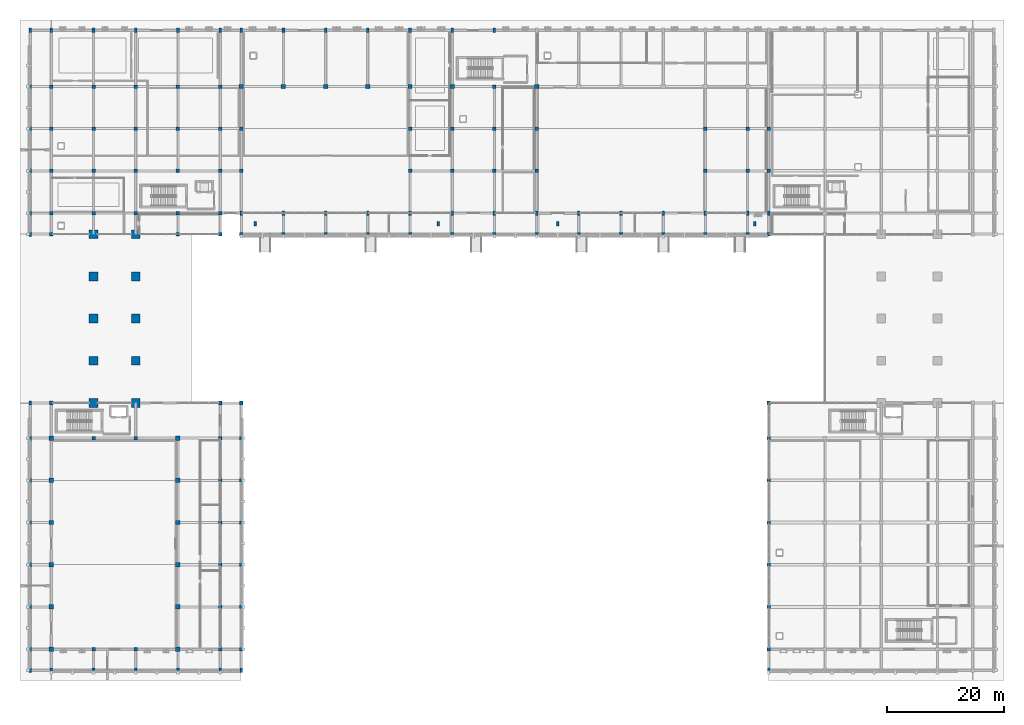
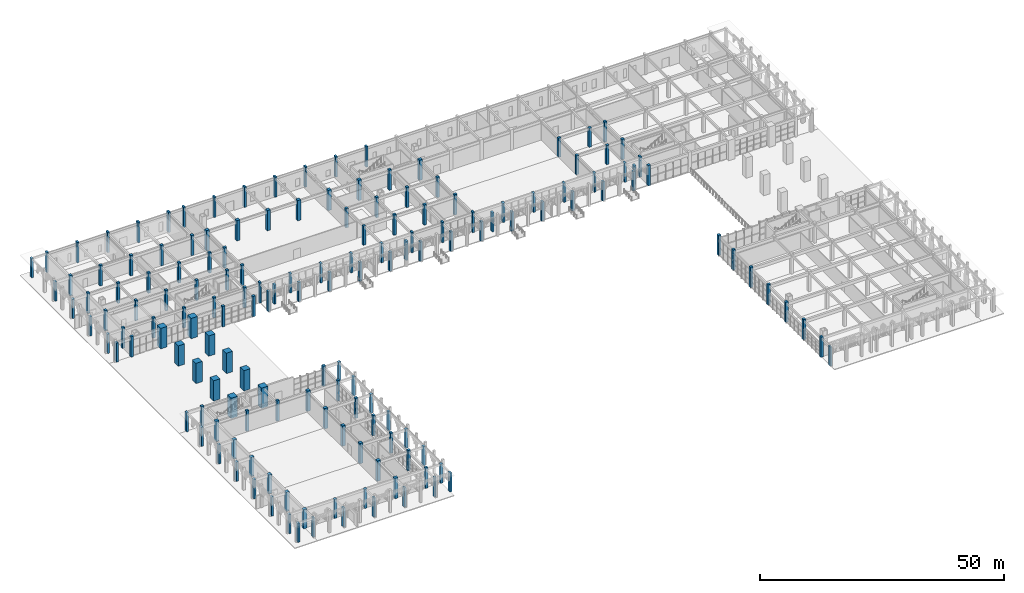
# One storey, part 1 of 72: 160 columns.
"""IFC4 building model written with IfcOpenShell, lengths in metres."""

from ifc_helpers import new_model, si_unit, direction, frame, origin, origin_2d, place, context, subcontext, project, spatial, rectangle, extrude, material, material_profile, profile_set, type_object, element, save


model = new_model("IFC4")

# Units and contexts
model_context = context("Model", 3, precision=1e-05, world=origin(), true_north=direction((0.0, 1.0)))
body_context = subcontext(model_context, "Body", "Model", "MODEL_VIEW")
ifc_project = project(units=[si_unit("LENGTHUNIT", "METRE"), si_unit("AREAUNIT", "SQUARE_METRE"), si_unit("VOLUMEUNIT", "CUBIC_METRE"), si_unit("PLANEANGLEUNIT", "RADIAN"), si_unit("MASSUNIT", "GRAM", prefix="KILO")], contexts=[model_context])

# Site, building, storey
site_placement = place(None, origin())
site = spatial("IfcSite", under=ifc_project, at=site_placement, CompositionType="ELEMENT")
building_placement = place(site_placement, origin())
building = spatial("IfcBuilding", under=site, at=building_placement, Name="Nzembalo Square Collegiate School", CompositionType="ELEMENT")
storey_placement = place(building_placement, origin())
storey = spatial("IfcBuildingStorey", under=building, at=storey_placement, Name="L00", CompositionType="ELEMENT", Elevation=0.0)

# Columns
ifc_material_1 = material(Name="Concrete C40/50", Category="concrete")
ifc_material_profile_1 = material_profile(ifc_material_1, rectangle(XDim=1.5, YDim=1.5, at=origin_2d()), Name="RC 1500x1500")
ifc_profile_set_1 = profile_set([ifc_material_profile_1], Name="Concrete C40/50")
column_type_1 = type_object("IfcColumnType", Name="C01", PredefinedType="COLUMN", material=ifc_profile_set_1)
for number, where, z_axis, x_axis, name in (
    (1, (15.60009765625, 50.39990234375, 0.0), (0.0, 0.0, 1.0), (1.0, 0.0, 0.0), "Column C01 L00 3/H"),
    (2, (15.60009765625, 57.60009765625, 0.0), (0.0, 0.0, 1.0), (1.0, 0.0, 0.0), "Column C01 L00 3/I"),
    (3, (15.60009765625, 64.800048828125, 0.0), (0.0, 0.0, 1.0), (1.0, 0.0, 0.0), "Column C01 L00 3/J"),
    (4, (15.60009765625, 72.0, 0.0), (0.0, 0.0, 1.0), (1.0, 0.0, 0.0), "Column C01 L00 3/K"),
    (5, (15.60009765625, 79.199951171875, 0.0), (0.0, 0.0, 1.0), (1.0, 0.0, 0.0), "Column C01 L00 3/L"),
    (6, (22.800048828125, 50.39990234375, 0.0), (0.0, 0.0, 1.0), (1.0, 0.0, 0.0), "Column C01 L00 4/H"),
    (7, (22.800048828125, 57.60009765625, 0.0), (0.0, 0.0, 1.0), (1.0, 0.0, 0.0), "Column C01 L00 4/I"),
    (8, (22.800048828125, 64.800048828125, 0.0), (0.0, 0.0, 1.0), (1.0, 0.0, 0.0), "Column C01 L00 4/J"),
    (9, (22.800048828125, 72.0, 0.0), (0.0, 0.0, 1.0), (1.0, 0.0, 0.0), "Column C01 L00 4/K"),
    (10, (22.800048828125, 79.199951171875, 0.0), (0.0, 0.0, 1.0), (1.0, 0.0, 0.0), "Column C01 L00 4/L"),
):
    element("IfcColumn", number, at=place(storey_placement, frame(where, z_axis=z_axis, x_axis=x_axis)), inside=storey, type_object=column_type_1, Name=name, PredefinedType="COLUMN", context=body_context, shape_type="SweptSolid", body=[
        extrude(rectangle(XDim=1.5, YDim=1.5, at=origin_2d()), origin(), (0.0, 0.0, 1.0), 5.10009765625),
    ])
ifc_material_2 = material(Name="Concrete C40/50", Category="concrete")
ifc_material_profile_2 = material_profile(ifc_material_2, rectangle(XDim=0.75, YDim=0.75, at=origin_2d()), Name="RC 750x750")
ifc_profile_set_2 = profile_set([ifc_material_profile_2], Name="Concrete C40/50")
column_type_2 = type_object("IfcColumnType", Name="C02", PredefinedType="COLUMN", material=ifc_profile_set_2)
for number, where, z_axis, x_axis, name in (
    (11, (62.39990234375, 104.39990234375, 0.0), (0.0, 0.0, 1.0), (1.0, 0.0, 0.0), "Column C02 L00 10/P"),
    (12, (69.60009765625, 104.39990234375, 0.0), (0.0, 0.0, 1.0), (1.0, 0.0, 0.0), "Column C02 L00 11/P"),
    (13, (76.800048828125, 104.39990234375, 0.0), (0.0, 0.0, 1.0), (1.0, 0.0, 0.0), "Column C02 L00 12/P"),
    (14, (91.199951171875, 104.39990234375, 0.0), (0.0, 0.0, 1.0), (1.0, 0.0, 0.0), "Column C02 L00 14/P"),
):
    element("IfcColumn", number, at=place(storey_placement, frame(where, z_axis=z_axis, x_axis=x_axis)), inside=storey, type_object=column_type_2, Name=name, PredefinedType="COLUMN", context=body_context, shape_type="SweptSolid", body=[
        extrude(rectangle(XDim=0.75, YDim=0.75, at=origin_2d()), origin(), (0.0, 0.0, 1.0), 5.10009765625),
    ])
for number, where, z_axis, x_axis, name in (
    (15, (8.39990234375, 8.39990234375, 0.0), (0.0, 0.0, 1.0), (1.0, 0.0, 0.0), "Column C02 L00 2/B"),
    (16, (8.39990234375, 15.60009765625, 0.0), (0.0, 0.0, 1.0), (1.0, 0.0, 0.0), "Column C02 L00 2/C"),
    (17, (8.39990234375, 22.800048828125, 0.0), (0.0, 0.0, 1.0), (1.0, 0.0, 0.0), "Column C02 L00 2/D"),
    (18, (8.39990234375, 30.0, 0.0), (0.0, 0.0, 1.0), (1.0, 0.0, 0.0), "Column C02 L00 2/E"),
    (19, (8.39990234375, 37.199951171875, 0.0), (0.0, 0.0, 1.0), (1.0, 0.0, 0.0), "Column C02 L00 2/F"),
):
    element("IfcColumn", number, at=place(storey_placement, frame(where, z_axis=z_axis, x_axis=x_axis)), inside=storey, type_object=column_type_2, Name=name, PredefinedType="COLUMN", context=body_context, shape_type="SweptSolid", body=[
        extrude(rectangle(XDim=0.75, YDim=0.75, at=origin_2d()), origin(), (0.0, 0.0, 1.0), 4.800048828125),
    ])
for number, where, z_axis, x_axis, name in (
    (20, (8.39990234375, 44.39990234375, 0.0), (0.0, 0.0, 1.0), (1.0, 0.0, 0.0), "Column C02 L00 2/G"),
    (21, (30.0, 8.39990234375, 0.0), (0.0, 0.0, 1.0), (1.0, 0.0, 0.0), "Column C02 L00 5/B"),
    (22, (30.0, 15.60009765625, 0.0), (0.0, 0.0, 1.0), (1.0, 0.0, 0.0), "Column C02 L00 5/C"),
    (23, (30.0, 22.800048828125, 0.0), (0.0, 0.0, 1.0), (1.0, 0.0, 0.0), "Column C02 L00 5/D"),
    (24, (30.0, 30.0, 0.0), (0.0, 0.0, 1.0), (1.0, 0.0, 0.0), "Column C02 L00 5/E"),
    (25, (30.0, 37.199951171875, 0.0), (0.0, 0.0, 1.0), (1.0, 0.0, 0.0), "Column C02 L00 5/F"),
    (26, (30.0, 44.39990234375, 0.0), (0.0, 0.0, 1.0), (1.0, 0.0, 0.0), "Column C02 L00 5/G"),
    (27, (40.800048828125, 104.39990234375, 0.0), (0.0, 0.0, 1.0), (1.0, 0.0, 0.0), "Column C02 L00 7/P"),
    (28, (48.0, 104.39990234375, 0.0), (0.0, 0.0, 1.0), (1.0, 0.0, 0.0), "Column C02 L00 8/P"),
    (29, (55.199951171875, 104.39990234375, 0.0), (0.0, 0.0, 1.0), (1.0, 0.0, 0.0), "Column C02 L00 9/P"),
):
    element("IfcColumn", number, at=place(storey_placement, frame(where, z_axis=z_axis, x_axis=x_axis)), inside=storey, type_object=column_type_2, Name=name, PredefinedType="COLUMN", context=body_context, shape_type="SweptSolid", body=[
        extrude(rectangle(XDim=0.75, YDim=0.75, at=origin_2d()), origin(), (0.0, 0.0, 1.0), 5.10009765625),
    ])
ifc_material_3 = material(Name="Concrete C35/45", Category="concrete")
ifc_material_profile_3 = material_profile(ifc_material_3, rectangle(XDim=0.60009765625, YDim=0.60009765625, at=origin_2d()), Name="RC 600x600")
ifc_profile_set_3 = profile_set([ifc_material_profile_3], Name="Concrete C35/45")
column_type_3 = type_object("IfcColumnType", Name="C03", PredefinedType="COLUMN", material=ifc_profile_set_3)
for number, where, z_axis, x_axis, name in (
    (30, (62.39990234375, 79.199951171875, 0.0), (0.0, 0.0, 1.0), (1.0, 0.0, 0.0), "Column C03 L00 10/L"),
    (31, (69.60009765625, 79.199951171875, 0.0), (0.0, 0.0, 1.0), (1.0, 0.0, 0.0), "Column C03 L00 11/L"),
    (32, (69.60009765625, 90.0, 0.0), (0.0, 0.0, 1.0), (1.0, 0.0, 0.0), "Column C03 L00 11/N"),
    (33, (69.60009765625, 97.199951171875, 0.0), (0.0, 0.0, 1.0), (1.0, 0.0, 0.0), "Column C03 L00 11/O"),
):
    element("IfcColumn", number, at=place(storey_placement, frame(where, z_axis=z_axis, x_axis=x_axis)), inside=storey, type_object=column_type_3, Name=name, PredefinedType="COLUMN", context=body_context, shape_type="SweptSolid", body=[
        extrude(rectangle(XDim=0.60009765625, YDim=0.60009765625, at=origin_2d()), origin(), (0.0, 0.0, 1.0), 4.800048828125),
    ])
column_1_placement = place(storey_placement, frame((76.800048828125, 79.199951171875, 0.0), z_axis=(0.0, 0.0, 1.0), x_axis=(1.0, 0.0, 0.0)))
element("IfcColumn", 34, at=column_1_placement, inside=storey, type_object=column_type_3, Name="Column C03 L00 12/L", PredefinedType="COLUMN", context=body_context, shape_type="SweptSolid", body=[
    extrude(rectangle(XDim=0.60009765625, YDim=0.60009765625, at=origin_2d()), origin(), (0.0, 0.0, 1.0), 4.860107421875),
])
for number, where, z_axis, x_axis, name in (
    (35, (76.800048828125, 90.0, 0.0), (0.0, 0.0, 1.0), (1.0, 0.0, 0.0), "Column C03 L00 12/N"),
    (36, (76.800048828125, 97.199951171875, 0.0), (0.0, 0.0, 1.0), (1.0, 0.0, 0.0), "Column C03 L00 12/O"),
):
    element("IfcColumn", number, at=place(storey_placement, frame(where, z_axis=z_axis, x_axis=x_axis)), inside=storey, type_object=column_type_3, Name=name, PredefinedType="COLUMN", context=body_context, shape_type="SweptSolid", body=[
        extrude(rectangle(XDim=0.60009765625, YDim=0.60009765625, at=origin_2d()), origin(), (0.0, 0.0, 1.0), 5.10009765625),
    ])
column_2_placement = place(storey_placement, frame((84.0, 79.199951171875, 0.0), z_axis=(0.0, 0.0, 1.0), x_axis=(1.0, 0.0, 0.0)))
element("IfcColumn", 37, at=column_2_placement, inside=storey, type_object=column_type_3, Name="Column C03 L00 13/L", PredefinedType="COLUMN", context=body_context, shape_type="SweptSolid", body=[
    extrude(rectangle(XDim=0.60009765625, YDim=0.60009765625, at=origin_2d()), origin(), (0.0, 0.0, 1.0), 4.860107421875),
])
for number, where, z_axis, x_axis, name in (
    (38, (84.0, 90.0, 0.0), (0.0, 0.0, 1.0), (1.0, 0.0, 0.0), "Column C03 L00 13/N"),
    (39, (84.0, 97.199951171875, 0.0), (0.0, 0.0, 1.0), (1.0, 0.0, 0.0), "Column C03 L00 13/O"),
    (40, (84.0, 104.39990234375, 0.0), (0.0, 0.0, 1.0), (1.0, 0.0, 0.0), "Column C03 L00 13/P"),
):
    element("IfcColumn", number, at=place(storey_placement, frame(where, z_axis=z_axis, x_axis=x_axis)), inside=storey, type_object=column_type_3, Name=name, PredefinedType="COLUMN", context=body_context, shape_type="SweptSolid", body=[
        extrude(rectangle(XDim=0.60009765625, YDim=0.60009765625, at=origin_2d()), origin(), (0.0, 0.0, 1.0), 5.10009765625),
    ])
column_3_placement = place(storey_placement, frame((91.199951171875, 79.199951171875, 0.0), z_axis=(0.0, 0.0, 1.0), x_axis=(1.0, 0.0, 0.0)))
element("IfcColumn", 41, at=column_3_placement, inside=storey, type_object=column_type_3, Name="Column C03 L00 14/L", PredefinedType="COLUMN", context=body_context, shape_type="SweptSolid", body=[
    extrude(rectangle(XDim=0.60009765625, YDim=0.60009765625, at=origin_2d()), origin(), (0.0, 0.0, 1.0), 4.860107421875),
])
for number, where, z_axis, x_axis, name in (
    (42, (91.199951171875, 90.0, 0.0), (0.0, 0.0, 1.0), (1.0, 0.0, 0.0), "Column C03 L00 14/N"),
    (43, (91.199951171875, 97.199951171875, 0.0), (0.0, 0.0, 1.0), (1.0, 0.0, 0.0), "Column C03 L00 14/O"),
):
    element("IfcColumn", number, at=place(storey_placement, frame(where, z_axis=z_axis, x_axis=x_axis)), inside=storey, type_object=column_type_3, Name=name, PredefinedType="COLUMN", context=body_context, shape_type="SweptSolid", body=[
        extrude(rectangle(XDim=0.60009765625, YDim=0.60009765625, at=origin_2d()), origin(), (0.0, 0.0, 1.0), 5.10009765625),
    ])
for number, where, z_axis, x_axis, name in (
    (44, (98.39990234375, 79.199951171875, 0.0), (0.0, 0.0, 1.0), (1.0, 0.0, 0.0), "Column C03 L00 15/L"),
    (45, (105.60009765625, 79.199951171875, 0.0), (0.0, 0.0, 1.0), (1.0, 0.0, 0.0), "Column C03 L00 16/L"),
    (46, (112.800048828125, 79.199951171875, 0.0), (0.0, 0.0, 1.0), (1.0, 0.0, 0.0), "Column C03 L00 17/L"),
    (47, (120.0, 79.199951171875, 0.0), (0.0, 0.0, 1.0), (1.0, 0.0, 0.0), "Column C03 L00 18/L"),
    (48, (120.0, 90.0, 0.0), (0.0, 0.0, 1.0), (1.0, 0.0, 0.0), "Column C03 L00 18/N"),
    (49, (120.0, 97.199951171875, 0.0), (0.0, 0.0, 1.0), (1.0, 0.0, 0.0), "Column C03 L00 18/O"),
    (50, (127.199951171875, 79.199951171875, 0.0), (0.0, 0.0, 1.0), (1.0, 0.0, 0.0), "Column C03 L00 19/L"),
    (51, (127.199951171875, 90.0, 0.0), (0.0, 0.0, 1.0), (1.0, 0.0, 0.0), "Column C03 L00 19/N"),
    (52, (127.199951171875, 97.199951171875, 0.0), (0.0, 0.0, 1.0), (1.0, 0.0, 0.0), "Column C03 L00 19/O"),
):
    element("IfcColumn", number, at=place(storey_placement, frame(where, z_axis=z_axis, x_axis=x_axis)), inside=storey, type_object=column_type_3, Name=name, PredefinedType="COLUMN", context=body_context, shape_type="SweptSolid", body=[
        extrude(rectangle(XDim=0.60009765625, YDim=0.60009765625, at=origin_2d()), origin(), (0.0, 0.0, 1.0), 4.800048828125),
    ])
for number, where, z_axis, x_axis, name in (
    (53, (8.39990234375, 50.39990234375, 0.0), (0.0, 0.0, 1.0), (1.0, 0.0, 0.0), "Column C03 L00 2/H"),
    (54, (8.39990234375, 79.199951171875, 0.0), (0.0, 0.0, 1.0), (1.0, 0.0, 0.0), "Column C03 L00 2/L"),
    (55, (8.39990234375, 82.800048828125, 0.0), (0.0, 0.0, 1.0), (1.0, 0.0, 0.0), "Column C03 L00 2/M"),
    (56, (8.39990234375, 90.0, 0.0), (0.0, 0.0, 1.0), (1.0, 0.0, 0.0), "Column C03 L00 2/N"),
    (57, (8.39990234375, 97.199951171875, 0.0), (0.0, 0.0, 1.0), (1.0, 0.0, 0.0), "Column C03 L00 2/O"),
    (58, (8.39990234375, 104.39990234375, 0.0), (0.0, 0.0, 1.0), (1.0, 0.0, 0.0), "Column C03 L00 2/P"),
    (59, (130.800048828125, 8.39990234375, 0.0), (0.0, 0.0, 1.0), (1.0, 0.0, 0.0), "Column C03 L00 20/B"),
    (60, (130.800048828125, 15.60009765625, 0.0), (0.0, 0.0, 1.0), (1.0, 0.0, 0.0), "Column C03 L00 20/C"),
    (61, (130.800048828125, 22.800048828125, 0.0), (0.0, 0.0, 1.0), (1.0, 0.0, 0.0), "Column C03 L00 20/D"),
    (62, (130.800048828125, 30.0, 0.0), (0.0, 0.0, 1.0), (1.0, 0.0, 0.0), "Column C03 L00 20/E"),
    (63, (130.800048828125, 37.199951171875, 0.0), (0.0, 0.0, 1.0), (1.0, 0.0, 0.0), "Column C03 L00 20/F"),
    (64, (130.800048828125, 44.39990234375, 0.0), (0.0, 0.0, 1.0), (1.0, 0.0, 0.0), "Column C03 L00 20/G"),
    (65, (130.800048828125, 50.39990234375, 0.0), (0.0, 0.0, 1.0), (1.0, 0.0, 0.0), "Column C03 L00 20/H"),
    (66, (130.800048828125, 79.199951171875, 0.0), (0.0, 0.0, 1.0), (1.0, 0.0, 0.0), "Column C03 L00 20/L"),
    (67, (130.800048828125, 90.0, 0.0), (0.0, 0.0, 1.0), (1.0, 0.0, 0.0), "Column C03 L00 20/N"),
    (68, (130.800048828125, 97.199951171875, 0.0), (0.0, 0.0, 1.0), (1.0, 0.0, 0.0), "Column C03 L00 20/O"),
):
    element("IfcColumn", number, at=place(storey_placement, frame(where, z_axis=z_axis, x_axis=x_axis)), inside=storey, type_object=column_type_3, Name=name, PredefinedType="COLUMN", context=body_context, shape_type="SweptSolid", body=[
        extrude(rectangle(XDim=0.60009765625, YDim=0.60009765625, at=origin_2d()), origin(), (0.0, 0.0, 1.0), 5.10009765625),
    ])
column_4_placement = place(storey_placement, frame((15.60009765625, 8.39990234375, 0.0), z_axis=(0.0, 0.0, 1.0), x_axis=(1.0, 0.0, 0.0)))
element("IfcColumn", 69, at=column_4_placement, inside=storey, type_object=column_type_3, Name="Column C03 L00 3/B", PredefinedType="COLUMN", context=body_context, shape_type="SweptSolid", body=[
    extrude(rectangle(XDim=0.60009765625, YDim=0.60009765625, at=origin_2d()), origin(), (0.0, 0.0, 1.0), 4.800048828125),
])
for number, where, z_axis, x_axis, name in (
    (70, (15.60009765625, 44.39990234375, 0.0), (0.0, 0.0, 1.0), (1.0, 0.0, 0.0), "Column C03 L00 3/G"),
    (71, (15.60009765625, 82.800048828125, 0.0), (0.0, 0.0, 1.0), (1.0, 0.0, 0.0), "Column C03 L00 3/M"),
    (72, (15.60009765625, 90.0, 0.0), (0.0, 0.0, 1.0), (1.0, 0.0, 0.0), "Column C03 L00 3/N"),
    (73, (15.60009765625, 97.199951171875, 0.0), (0.0, 0.0, 1.0), (1.0, 0.0, 0.0), "Column C03 L00 3/O"),
    (74, (15.60009765625, 104.39990234375, 0.0), (0.0, 0.0, 1.0), (1.0, 0.0, 0.0), "Column C03 L00 3/P"),
):
    element("IfcColumn", number, at=place(storey_placement, frame(where, z_axis=z_axis, x_axis=x_axis)), inside=storey, type_object=column_type_3, Name=name, PredefinedType="COLUMN", context=body_context, shape_type="SweptSolid", body=[
        extrude(rectangle(XDim=0.60009765625, YDim=0.60009765625, at=origin_2d()), origin(), (0.0, 0.0, 1.0), 5.10009765625),
    ])
column_5_placement = place(storey_placement, frame((22.800048828125, 8.39990234375, 0.0), z_axis=(0.0, 0.0, 1.0), x_axis=(1.0, 0.0, 0.0)))
element("IfcColumn", 75, at=column_5_placement, inside=storey, type_object=column_type_3, Name="Column C03 L00 4/B", PredefinedType="COLUMN", context=body_context, shape_type="SweptSolid", body=[
    extrude(rectangle(XDim=0.60009765625, YDim=0.60009765625, at=origin_2d()), origin(), (0.0, 0.0, 1.0), 4.800048828125),
])
for number, where, z_axis, x_axis, name in (
    (76, (22.800048828125, 44.39990234375, 0.0), (0.0, 0.0, 1.0), (1.0, 0.0, 0.0), "Column C03 L00 4/G"),
    (77, (22.800048828125, 82.800048828125, 0.0), (0.0, 0.0, 1.0), (1.0, 0.0, 0.0), "Column C03 L00 4/M"),
    (78, (22.800048828125, 90.0, 0.0), (0.0, 0.0, 1.0), (1.0, 0.0, 0.0), "Column C03 L00 4/N"),
    (79, (22.800048828125, 97.199951171875, 0.0), (0.0, 0.0, 1.0), (1.0, 0.0, 0.0), "Column C03 L00 4/O"),
    (80, (22.800048828125, 104.39990234375, 0.0), (0.0, 0.0, 1.0), (1.0, 0.0, 0.0), "Column C03 L00 4/P"),
    (81, (30.0, 79.199951171875, 0.0), (0.0, 0.0, 1.0), (1.0, 0.0, 0.0), "Column C03 L00 5/L"),
    (82, (30.0, 82.800048828125, 0.0), (0.0, 0.0, 1.0), (1.0, 0.0, 0.0), "Column C03 L00 5/M"),
    (83, (30.0, 90.0, 0.0), (0.0, 0.0, 1.0), (1.0, 0.0, 0.0), "Column C03 L00 5/N"),
    (84, (30.0, 97.199951171875, 0.0), (0.0, 0.0, 1.0), (1.0, 0.0, 0.0), "Column C03 L00 5/O"),
    (85, (30.0, 104.39990234375, 0.0), (0.0, 0.0, 1.0), (1.0, 0.0, 0.0), "Column C03 L00 5/P"),
    (86, (37.199951171875, 8.39990234375, 0.0), (0.0, 0.0, 1.0), (1.0, 0.0, 0.0), "Column C03 L00 6/B"),
    (87, (37.199951171875, 15.60009765625, 0.0), (0.0, 0.0, 1.0), (1.0, 0.0, 0.0), "Column C03 L00 6/C"),
    (88, (37.199951171875, 22.800048828125, 0.0), (0.0, 0.0, 1.0), (1.0, 0.0, 0.0), "Column C03 L00 6/D"),
    (89, (37.199951171875, 30.0, 0.0), (0.0, 0.0, 1.0), (1.0, 0.0, 0.0), "Column C03 L00 6/E"),
    (90, (37.199951171875, 37.199951171875, 0.0), (0.0, 0.0, 1.0), (1.0, 0.0, 0.0), "Column C03 L00 6/F"),
    (91, (37.199951171875, 44.39990234375, 0.0), (0.0, 0.0, 1.0), (1.0, 0.0, 0.0), "Column C03 L00 6/G"),
    (92, (37.199951171875, 50.39990234375, 0.0), (0.0, 0.0, 1.0), (1.0, 0.0, 0.0), "Column C03 L00 6/H"),
    (93, (37.199951171875, 79.199951171875, 0.0), (0.0, 0.0, 1.0), (1.0, 0.0, 0.0), "Column C03 L00 6/L"),
    (94, (37.199951171875, 82.800048828125, 0.0), (0.0, 0.0, 1.0), (1.0, 0.0, 0.0), "Column C03 L00 6/M"),
    (95, (37.199951171875, 90.0, 0.0), (0.0, 0.0, 1.0), (1.0, 0.0, 0.0), "Column C03 L00 6/N"),
    (96, (37.199951171875, 97.199951171875, 0.0), (0.0, 0.0, 1.0), (1.0, 0.0, 0.0), "Column C03 L00 6/O"),
    (97, (37.199951171875, 104.39990234375, 0.0), (0.0, 0.0, 1.0), (1.0, 0.0, 0.0), "Column C03 L00 6/P"),
):
    element("IfcColumn", number, at=place(storey_placement, frame(where, z_axis=z_axis, x_axis=x_axis)), inside=storey, type_object=column_type_3, Name=name, PredefinedType="COLUMN", context=body_context, shape_type="SweptSolid", body=[
        extrude(rectangle(XDim=0.60009765625, YDim=0.60009765625, at=origin_2d()), origin(), (0.0, 0.0, 1.0), 5.10009765625),
    ])
for number, where, z_axis, x_axis, name in (
    (98, (40.800048828125, 8.39990234375, 0.0), (0.0, 0.0, 1.0), (1.0, 0.0, 0.0), "Column C03 L00 7/B"),
    (99, (40.800048828125, 15.60009765625, 0.0), (0.0, 0.0, 1.0), (1.0, 0.0, 0.0), "Column C03 L00 7/C"),
    (100, (40.800048828125, 22.800048828125, 0.0), (0.0, 0.0, 1.0), (1.0, 0.0, 0.0), "Column C03 L00 7/D"),
    (101, (40.800048828125, 30.0, 0.0), (0.0, 0.0, 1.0), (1.0, 0.0, 0.0), "Column C03 L00 7/E"),
    (102, (40.800048828125, 37.199951171875, 0.0), (0.0, 0.0, 1.0), (1.0, 0.0, 0.0), "Column C03 L00 7/F"),
    (103, (40.800048828125, 44.39990234375, 0.0), (0.0, 0.0, 1.0), (1.0, 0.0, 0.0), "Column C03 L00 7/G"),
    (104, (40.800048828125, 50.39990234375, 0.0), (0.0, 0.0, 1.0), (1.0, 0.0, 0.0), "Column C03 L00 7/H"),
):
    element("IfcColumn", number, at=place(storey_placement, frame(where, z_axis=z_axis, x_axis=x_axis)), inside=storey, type_object=column_type_3, Name=name, PredefinedType="COLUMN", context=body_context, shape_type="SweptSolid", body=[
        extrude(rectangle(XDim=0.60009765625, YDim=0.60009765625, at=origin_2d()), origin(), (0.0, 0.0, 1.0), 4.800048828125),
    ])
for number, where, z_axis, x_axis, name in (
    (105, (40.800048828125, 79.199951171875, 0.0), (0.0, 0.0, 1.0), (1.0, 0.0, 0.0), "Column C03 L00 7/L"),
    (106, (40.800048828125, 90.0, 0.0), (0.0, 0.0, 1.0), (1.0, 0.0, 0.0), "Column C03 L00 7/N"),
    (107, (40.800048828125, 97.199951171875, 0.0), (0.0, 0.0, 1.0), (1.0, 0.0, 0.0), "Column C03 L00 7/O"),
):
    element("IfcColumn", number, at=place(storey_placement, frame(where, z_axis=z_axis, x_axis=x_axis)), inside=storey, type_object=column_type_3, Name=name, PredefinedType="COLUMN", context=body_context, shape_type="SweptSolid", body=[
        extrude(rectangle(XDim=0.60009765625, YDim=0.60009765625, at=origin_2d()), origin(), (0.0, 0.0, 1.0), 5.10009765625),
    ])
for number, where, z_axis, x_axis, name in (
    (108, (48.0, 79.199951171875, 0.0), (0.0, 0.0, 1.0), (1.0, 0.0, 0.0), "Column C03 L00 8/L"),
    (109, (55.199951171875, 79.199951171875, 0.0), (0.0, 0.0, 1.0), (1.0, 0.0, 0.0), "Column C03 L00 9/L"),
):
    element("IfcColumn", number, at=place(storey_placement, frame(where, z_axis=z_axis, x_axis=x_axis)), inside=storey, type_object=column_type_3, Name=name, PredefinedType="COLUMN", context=body_context, shape_type="SweptSolid", body=[
        extrude(rectangle(XDim=0.60009765625, YDim=0.60009765625, at=origin_2d()), origin(), (0.0, 0.0, 1.0), 4.800048828125),
    ])
ifc_material_4 = material(Name="Concrete C35/45", Category="concrete")
ifc_material_profile_4 = material_profile(ifc_material_4, rectangle(XDim=0.449951171875, YDim=0.75, at=origin_2d()), Name="RC 450x750")
ifc_profile_set_4 = profile_set([ifc_material_profile_4], Name="Concrete C35/45")
column_type_4 = type_object("IfcColumnType", Name="CP01", PredefinedType="PILASTER", material=ifc_profile_set_4)
for number, where, z_axis, x_axis, name in (
    (110, (43.199951171875, 81.0, 0.0), (0.0, 0.0, 1.0), (1.0, 0.0, 0.0), "Portal arcade pier CP01 L00 PF1"),
    (111, (74.39990234375, 81.0, 0.0), (0.0, 0.0, 1.0), (1.0, 0.0, 0.0), "Portal arcade pier CP01 L00 PF2"),
    (112, (94.800048828125, 81.0, 0.0), (0.0, 0.0, 1.0), (1.0, 0.0, 0.0), "Portal arcade pier CP01 L00 PF3"),
    (113, (128.39990234375, 81.0, 0.0), (0.0, 0.0, 1.0), (1.0, 0.0, 0.0), "Portal arcade pier CP01 L00 PF4"),
    (114, (4.800048828125, 4.800048828125, 0.0), (0.0, 0.0, 1.0), (1.0, 0.0, 0.0), "Column CP01 L00 1/A"),
    (115, (4.800048828125, 8.39990234375, 0.0), (0.0, 0.0, 1.0), (1.0, 0.0, 0.0), "Column CP01 L00 1/B"),
    (116, (4.800048828125, 15.60009765625, 0.0), (0.0, 0.0, 1.0), (1.0, 0.0, 0.0), "Column CP01 L00 1/C"),
    (117, (4.800048828125, 22.800048828125, 0.0), (0.0, 0.0, 1.0), (1.0, 0.0, 0.0), "Column CP01 L00 1/D"),
    (118, (4.800048828125, 30.0, 0.0), (0.0, 0.0, 1.0), (1.0, 0.0, 0.0), "Column CP01 L00 1/E"),
    (119, (4.800048828125, 37.199951171875, 0.0), (0.0, 0.0, 1.0), (1.0, 0.0, 0.0), "Column CP01 L00 1/F"),
    (120, (4.800048828125, 44.39990234375, 0.0), (0.0, 0.0, 1.0), (1.0, 0.0, 0.0), "Column CP01 L00 1/G"),
    (121, (4.800048828125, 50.39990234375, 0.0), (0.0, 0.0, 1.0), (1.0, 0.0, 0.0), "Column CP01 L00 1/H"),
    (122, (4.800048828125, 79.199951171875, 0.0), (0.0, 0.0, 1.0), (1.0, 0.0, 0.0), "Column CP01 L00 1/L"),
    (123, (4.800048828125, 82.800048828125, 0.0), (0.0, 0.0, 1.0), (1.0, 0.0, 0.0), "Column CP01 L00 1/M"),
    (124, (4.800048828125, 90.0, 0.0), (0.0, 0.0, 1.0), (1.0, 0.0, 0.0), "Column CP01 L00 1/N"),
    (125, (4.800048828125, 97.199951171875, 0.0), (0.0, 0.0, 1.0), (1.0, 0.0, 0.0), "Column CP01 L00 1/O"),
    (126, (4.800048828125, 104.39990234375, 0.0), (0.0, 0.0, 1.0), (1.0, 0.0, 0.0), "Column CP01 L00 1/P"),
    (127, (4.800048828125, 114.0, 0.0), (0.0, 0.0, 1.0), (1.0, 0.0, 0.0), "Column CP01 L00 1/Q"),
    (128, (62.39990234375, 82.800048828125, 0.0), (0.0, 0.0, 1.0), (1.0, 0.0, 0.0), "Column CP01 L00 10/M"),
):
    element("IfcColumn", number, at=place(storey_placement, frame(where, z_axis=z_axis, x_axis=x_axis)), inside=storey, type_object=column_type_4, Name=name, PredefinedType="PILASTER", context=body_context, shape_type="SweptSolid", body=[
        extrude(rectangle(XDim=0.449951171875, YDim=0.75, at=origin_2d()), origin(), (0.0, 0.0, 1.0), 4.800048828125),
    ])
column_6_placement = place(storey_placement, frame((62.39990234375, 114.0, 0.0), z_axis=(0.0, 0.0, 1.0), x_axis=(1.0, 0.0, 0.0)))
element("IfcColumn", 129, at=column_6_placement, inside=storey, type_object=column_type_4, Name="Column CP01 L00 10/Q", PredefinedType="PILASTER", context=body_context, shape_type="SweptSolid", body=[
    extrude(rectangle(XDim=0.449951171875, YDim=0.75, at=origin_2d()), origin(), (0.0, 0.0, 1.0), 5.10009765625),
])
column_7_placement = place(storey_placement, frame((69.60009765625, 82.800048828125, 0.0), z_axis=(0.0, 0.0, 1.0), x_axis=(1.0, 0.0, 0.0)))
element("IfcColumn", 130, at=column_7_placement, inside=storey, type_object=column_type_4, Name="Column CP01 L00 11/M", PredefinedType="PILASTER", context=body_context, shape_type="SweptSolid", body=[
    extrude(rectangle(XDim=0.449951171875, YDim=0.75, at=origin_2d()), origin(), (0.0, 0.0, 1.0), 4.800048828125),
])
for number, where, z_axis, x_axis, name in (
    (131, (69.60009765625, 114.0, 0.0), (0.0, 0.0, 1.0), (1.0, 0.0, 0.0), "Column CP01 L00 11/Q"),
    (132, (76.800048828125, 82.800048828125, 0.0), (0.0, 0.0, 1.0), (1.0, 0.0, 0.0), "Column CP01 L00 12/M"),
    (133, (76.800048828125, 114.0, 0.0), (0.0, 0.0, 1.0), (1.0, 0.0, 0.0), "Column CP01 L00 12/Q"),
    (134, (84.0, 82.800048828125, 0.0), (0.0, 0.0, 1.0), (1.0, 0.0, 0.0), "Column CP01 L00 13/M"),
    (135, (84.0, 114.0, 0.0), (0.0, 0.0, 1.0), (1.0, 0.0, 0.0), "Column CP01 L00 13/Q"),
    (136, (91.199951171875, 82.800048828125, 0.0), (0.0, 0.0, 1.0), (1.0, 0.0, 0.0), "Column CP01 L00 14/M"),
):
    element("IfcColumn", number, at=place(storey_placement, frame(where, z_axis=z_axis, x_axis=x_axis)), inside=storey, type_object=column_type_4, Name=name, PredefinedType="PILASTER", context=body_context, shape_type="SweptSolid", body=[
        extrude(rectangle(XDim=0.449951171875, YDim=0.75, at=origin_2d()), origin(), (0.0, 0.0, 1.0), 5.10009765625),
    ])
for number, where, z_axis, x_axis, name in (
    (137, (98.39990234375, 82.800048828125, 0.0), (0.0, 0.0, 1.0), (1.0, 0.0, 0.0), "Column CP01 L00 15/M"),
    (138, (105.60009765625, 82.800048828125, 0.0), (0.0, 0.0, 1.0), (1.0, 0.0, 0.0), "Column CP01 L00 16/M"),
    (139, (112.800048828125, 82.800048828125, 0.0), (0.0, 0.0, 1.0), (1.0, 0.0, 0.0), "Column CP01 L00 17/M"),
    (140, (120.0, 82.800048828125, 0.0), (0.0, 0.0, 1.0), (1.0, 0.0, 0.0), "Column CP01 L00 18/M"),
    (141, (127.199951171875, 82.800048828125, 0.0), (0.0, 0.0, 1.0), (1.0, 0.0, 0.0), "Column CP01 L00 19/M"),
    (142, (8.39990234375, 4.800048828125, 0.0), (0.0, 0.0, 1.0), (1.0, 0.0, 0.0), "Column CP01 L00 2/A"),
):
    element("IfcColumn", number, at=place(storey_placement, frame(where, z_axis=z_axis, x_axis=x_axis)), inside=storey, type_object=column_type_4, Name=name, PredefinedType="PILASTER", context=body_context, shape_type="SweptSolid", body=[
        extrude(rectangle(XDim=0.449951171875, YDim=0.75, at=origin_2d()), origin(), (0.0, 0.0, 1.0), 4.800048828125),
    ])
column_8_placement = place(storey_placement, frame((8.39990234375, 114.0, 0.0), z_axis=(0.0, 0.0, 1.0), x_axis=(1.0, 0.0, 0.0)))
element("IfcColumn", 143, at=column_8_placement, inside=storey, type_object=column_type_4, Name="Column CP01 L00 2/Q", PredefinedType="PILASTER", context=body_context, shape_type="SweptSolid", body=[
    extrude(rectangle(XDim=0.449951171875, YDim=0.75, at=origin_2d()), origin(), (0.0, 0.0, 1.0), 5.10009765625),
])
column_9_placement = place(storey_placement, frame((130.800048828125, 4.800048828125, 0.0), z_axis=(0.0, 0.0, 1.0), x_axis=(1.0, 0.0, 0.0)))
element("IfcColumn", 144, at=column_9_placement, inside=storey, type_object=column_type_4, Name="Column CP01 L00 20/A", PredefinedType="PILASTER", context=body_context, shape_type="SweptSolid", body=[
    extrude(rectangle(XDim=0.449951171875, YDim=0.75, at=origin_2d()), origin(), (0.0, 0.0, 1.0), 4.800048828125),
])
column_10_placement = place(storey_placement, frame((130.800048828125, 82.800048828125, 0.0), z_axis=(0.0, 0.0, 1.0), x_axis=(1.0, 0.0, 0.0)))
element("IfcColumn", 145, at=column_10_placement, inside=storey, type_object=column_type_4, Name="Column CP01 L00 20/M", PredefinedType="PILASTER", context=body_context, shape_type="SweptSolid", body=[
    extrude(rectangle(XDim=0.449951171875, YDim=0.75, at=origin_2d()), origin(), (0.0, 0.0, 1.0), 5.10009765625),
])
column_11_placement = place(storey_placement, frame((15.60009765625, 4.800048828125, 0.0), z_axis=(0.0, 0.0, 1.0), x_axis=(1.0, 0.0, 0.0)))
element("IfcColumn", 146, at=column_11_placement, inside=storey, type_object=column_type_4, Name="Column CP01 L00 3/A", PredefinedType="PILASTER", context=body_context, shape_type="SweptSolid", body=[
    extrude(rectangle(XDim=0.449951171875, YDim=0.75, at=origin_2d()), origin(), (0.0, 0.0, 1.0), 4.800048828125),
])
column_12_placement = place(storey_placement, frame((15.60009765625, 114.0, 0.0), z_axis=(0.0, 0.0, 1.0), x_axis=(1.0, 0.0, 0.0)))
element("IfcColumn", 147, at=column_12_placement, inside=storey, type_object=column_type_4, Name="Column CP01 L00 3/Q", PredefinedType="PILASTER", context=body_context, shape_type="SweptSolid", body=[
    extrude(rectangle(XDim=0.449951171875, YDim=0.75, at=origin_2d()), origin(), (0.0, 0.0, 1.0), 5.10009765625),
])
column_13_placement = place(storey_placement, frame((22.800048828125, 4.800048828125, 0.0), z_axis=(0.0, 0.0, 1.0), x_axis=(1.0, 0.0, 0.0)))
element("IfcColumn", 148, at=column_13_placement, inside=storey, type_object=column_type_4, Name="Column CP01 L00 4/A", PredefinedType="PILASTER", context=body_context, shape_type="SweptSolid", body=[
    extrude(rectangle(XDim=0.449951171875, YDim=0.75, at=origin_2d()), origin(), (0.0, 0.0, 1.0), 4.800048828125),
])
column_14_placement = place(storey_placement, frame((22.800048828125, 114.0, 0.0), z_axis=(0.0, 0.0, 1.0), x_axis=(1.0, 0.0, 0.0)))
element("IfcColumn", 149, at=column_14_placement, inside=storey, type_object=column_type_4, Name="Column CP01 L00 4/Q", PredefinedType="PILASTER", context=body_context, shape_type="SweptSolid", body=[
    extrude(rectangle(XDim=0.449951171875, YDim=0.75, at=origin_2d()), origin(), (0.0, 0.0, 1.0), 5.10009765625),
])
column_15_placement = place(storey_placement, frame((30.0, 4.800048828125, 0.0), z_axis=(0.0, 0.0, 1.0), x_axis=(1.0, 0.0, 0.0)))
element("IfcColumn", 150, at=column_15_placement, inside=storey, type_object=column_type_4, Name="Column CP01 L00 5/A", PredefinedType="PILASTER", context=body_context, shape_type="SweptSolid", body=[
    extrude(rectangle(XDim=0.449951171875, YDim=0.75, at=origin_2d()), origin(), (0.0, 0.0, 1.0), 4.800048828125),
])
column_16_placement = place(storey_placement, frame((30.0, 114.0, 0.0), z_axis=(0.0, 0.0, 1.0), x_axis=(1.0, 0.0, 0.0)))
element("IfcColumn", 151, at=column_16_placement, inside=storey, type_object=column_type_4, Name="Column CP01 L00 5/Q", PredefinedType="PILASTER", context=body_context, shape_type="SweptSolid", body=[
    extrude(rectangle(XDim=0.449951171875, YDim=0.75, at=origin_2d()), origin(), (0.0, 0.0, 1.0), 5.10009765625),
])
column_17_placement = place(storey_placement, frame((37.199951171875, 4.800048828125, 0.0), z_axis=(0.0, 0.0, 1.0), x_axis=(1.0, 0.0, 0.0)))
element("IfcColumn", 152, at=column_17_placement, inside=storey, type_object=column_type_4, Name="Column CP01 L00 6/A", PredefinedType="PILASTER", context=body_context, shape_type="SweptSolid", body=[
    extrude(rectangle(XDim=0.449951171875, YDim=0.75, at=origin_2d()), origin(), (0.0, 0.0, 1.0), 4.800048828125),
])
column_18_placement = place(storey_placement, frame((37.199951171875, 114.0, 0.0), z_axis=(0.0, 0.0, 1.0), x_axis=(1.0, 0.0, 0.0)))
element("IfcColumn", 153, at=column_18_placement, inside=storey, type_object=column_type_4, Name="Column CP01 L00 6/Q", PredefinedType="PILASTER", context=body_context, shape_type="SweptSolid", body=[
    extrude(rectangle(XDim=0.449951171875, YDim=0.75, at=origin_2d()), origin(), (0.0, 0.0, 1.0), 5.10009765625),
])
column_19_placement = place(storey_placement, frame((40.800048828125, 4.800048828125, 0.0), z_axis=(0.0, 0.0, 1.0), x_axis=(1.0, 0.0, 0.0)))
element("IfcColumn", 154, at=column_19_placement, inside=storey, type_object=column_type_4, Name="Column CP01 L00 7/A", PredefinedType="PILASTER", context=body_context, shape_type="SweptSolid", body=[
    extrude(rectangle(XDim=0.449951171875, YDim=0.75, at=origin_2d()), origin(), (0.0, 0.0, 1.0), 4.800048828125),
])
for number, where, z_axis, x_axis, name in (
    (155, (40.800048828125, 82.800048828125, 0.0), (0.0, 0.0, 1.0), (1.0, 0.0, 0.0), "Column CP01 L00 7/M"),
    (156, (40.800048828125, 114.0, 0.0), (0.0, 0.0, 1.0), (1.0, 0.0, 0.0), "Column CP01 L00 7/Q"),
):
    element("IfcColumn", number, at=place(storey_placement, frame(where, z_axis=z_axis, x_axis=x_axis)), inside=storey, type_object=column_type_4, Name=name, PredefinedType="PILASTER", context=body_context, shape_type="SweptSolid", body=[
        extrude(rectangle(XDim=0.449951171875, YDim=0.75, at=origin_2d()), origin(), (0.0, 0.0, 1.0), 5.10009765625),
    ])
column_20_placement = place(storey_placement, frame((48.0, 82.800048828125, 0.0), z_axis=(0.0, 0.0, 1.0), x_axis=(1.0, 0.0, 0.0)))
element("IfcColumn", 157, at=column_20_placement, inside=storey, type_object=column_type_4, Name="Column CP01 L00 8/M", PredefinedType="PILASTER", context=body_context, shape_type="SweptSolid", body=[
    extrude(rectangle(XDim=0.449951171875, YDim=0.75, at=origin_2d()), origin(), (0.0, 0.0, 1.0), 4.800048828125),
])
column_21_placement = place(storey_placement, frame((48.0, 114.0, 0.0), z_axis=(0.0, 0.0, 1.0), x_axis=(1.0, 0.0, 0.0)))
element("IfcColumn", 158, at=column_21_placement, inside=storey, type_object=column_type_4, Name="Column CP01 L00 8/Q", PredefinedType="PILASTER", context=body_context, shape_type="SweptSolid", body=[
    extrude(rectangle(XDim=0.449951171875, YDim=0.75, at=origin_2d()), origin(), (0.0, 0.0, 1.0), 5.10009765625),
])
column_22_placement = place(storey_placement, frame((55.199951171875, 82.800048828125, 0.0), z_axis=(0.0, 0.0, 1.0), x_axis=(1.0, 0.0, 0.0)))
element("IfcColumn", 159, at=column_22_placement, inside=storey, type_object=column_type_4, Name="Column CP01 L00 9/M", PredefinedType="PILASTER", context=body_context, shape_type="SweptSolid", body=[
    extrude(rectangle(XDim=0.449951171875, YDim=0.75, at=origin_2d()), origin(), (0.0, 0.0, 1.0), 4.800048828125),
])
column_23_placement = place(storey_placement, frame((55.199951171875, 114.0, 0.0), z_axis=(0.0, 0.0, 1.0), x_axis=(1.0, 0.0, 0.0)))
element("IfcColumn", 160, at=column_23_placement, inside=storey, type_object=column_type_4, Name="Column CP01 L00 9/Q", PredefinedType="PILASTER", context=body_context, shape_type="SweptSolid", body=[
    extrude(rectangle(XDim=0.449951171875, YDim=0.75, at=origin_2d()), origin(), (0.0, 0.0, 1.0), 5.10009765625),
])

save(model, "model.ifc")
